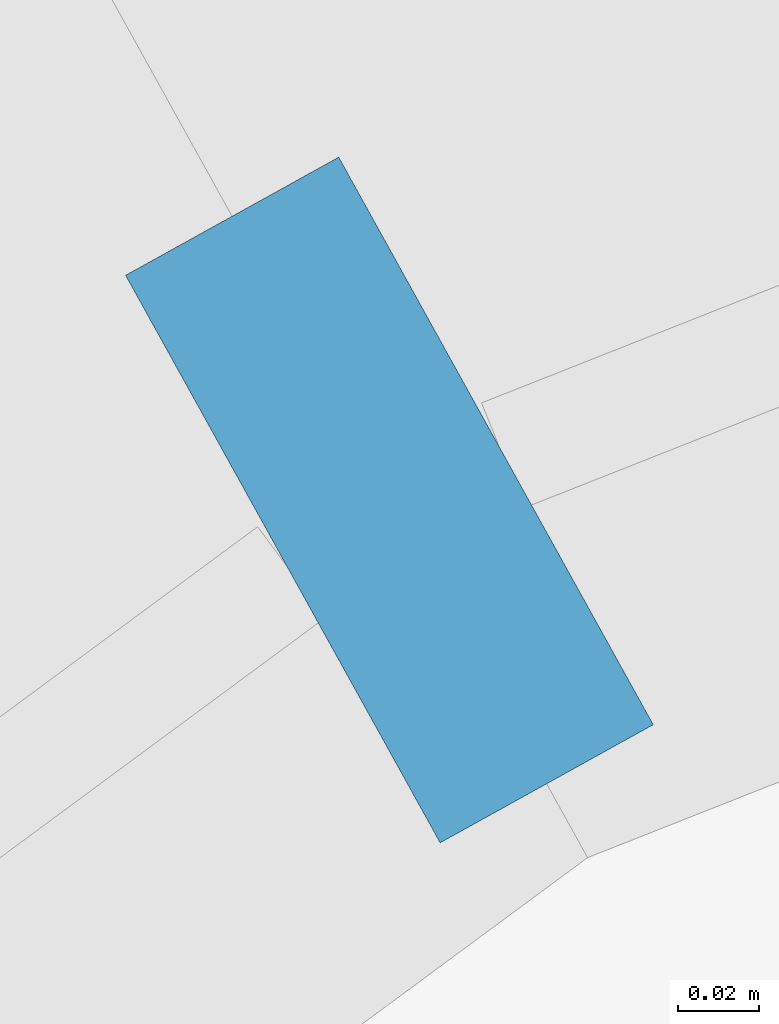
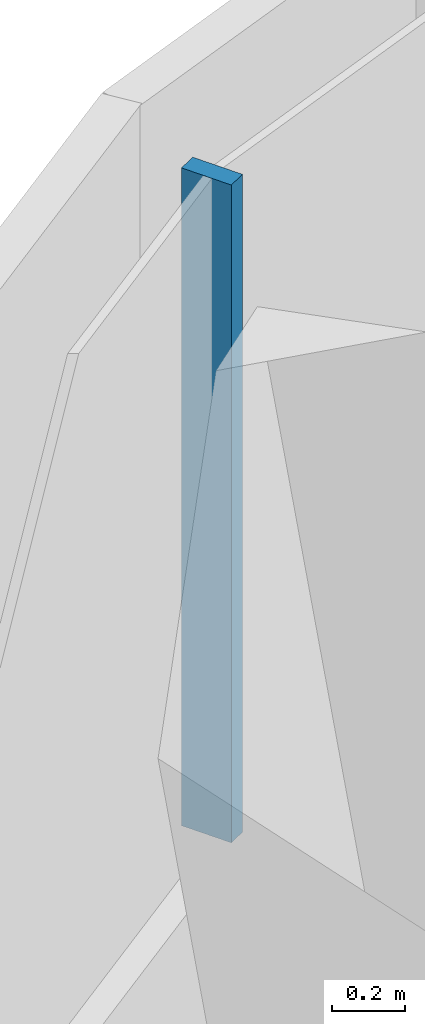
# One storey, part 17 of 32: 1 member, 1 element without a shape of its own.
"""IFC4 building model written with IfcOpenShell, lengths in metres."""

from ifc_helpers import new_model, si_unit, direction, frame, origin, origin_2d, place, context, subcontext, project, spatial, rectangle, extrude, material, layer, layer_set, material_profile, profile_set, type_object, element, aggregate, save


model = new_model("IFC4")

# Units and contexts
model_context = context("Model", 3, precision=1e-05, world=origin(), true_north=direction((0.0, 1.0)))
body_context = subcontext(model_context, "Body", "Model", "MODEL_VIEW")
ifc_project = project(units=[si_unit("LENGTHUNIT", "METRE"), si_unit("AREAUNIT", "SQUARE_METRE"), si_unit("VOLUMEUNIT", "CUBIC_METRE"), si_unit("PLANEANGLEUNIT", "RADIAN"), si_unit("MASSUNIT", "GRAM", prefix="KILO")], contexts=[model_context])

# Site, building, storey
site_placement = place(None, origin())
site = spatial("IfcSite", under=ifc_project, at=site_placement, CompositionType="ELEMENT")
building_placement = place(site_placement, origin())
building = spatial("IfcBuilding", under=site, at=building_placement, Name="Tamarind Cross Interchange Tower", CompositionType="ELEMENT")
storey_placement = place(building_placement, frame((0.0, 0.0, 166.75)))
storey = spatial("IfcBuildingStorey", under=building, at=storey_placement, Name="L41", CompositionType="ELEMENT", Elevation=166.75)

# Curtain wall, member
ifc_material = material(Name="Aluminium 6063-T6", Category="aluminium")
ifc_layer = layer(ifc_material, 0.159912109375)
ifc_layer_set = layer_set([ifc_layer], Name="Aluminium 6063-T6")
curtain_wall_type = type_object("IfcCurtainWallType", Name="Office curtain wall, 9.0 m bays", PredefinedType="NOTDEFINED", material=ifc_layer_set)
curtain_wall_placement = place(storey_placement, origin())
curtain_wall = element("IfcCurtainWall", 1, at=curtain_wall_placement, inside=storey, type_object=curtain_wall_type, Name="CWS-L41-01", PredefinedType="NOTDEFINED")
ifc_material_profile = material_profile(ifc_material, rectangle(XDim=0.06005859375, YDim=0.159912109375, at=origin_2d()), Name="Mullion CW1")
ifc_profile_set = profile_set([ifc_material_profile], Name="Aluminium 6063-T6")
member_type = type_object("IfcMemberType", Name="Mullion CW1", PredefinedType="MULLION", material=ifc_profile_set)
member_placement = place(storey_placement, frame((37.814208984375, 20.19775390625, 1.39990234375), z_axis=(0.0, 0.0, 1.0), x_axis=(-0.874634476569, -0.484782974532, 0.0)))
member = element("IfcMember", 2, at=member_placement, type_object=member_type, Name="CWM-L41-01-00", PredefinedType="MULLION", context=body_context, shape_type="SweptSolid", body=[
    extrude(rectangle(XDim=0.06005859375, YDim=0.159912109375, at=origin_2d()), origin(), (0.0, 0.0, 1.0), 2.210205078125),
])
aggregate(curtain_wall, [member])

save(model, "model.ifc")
